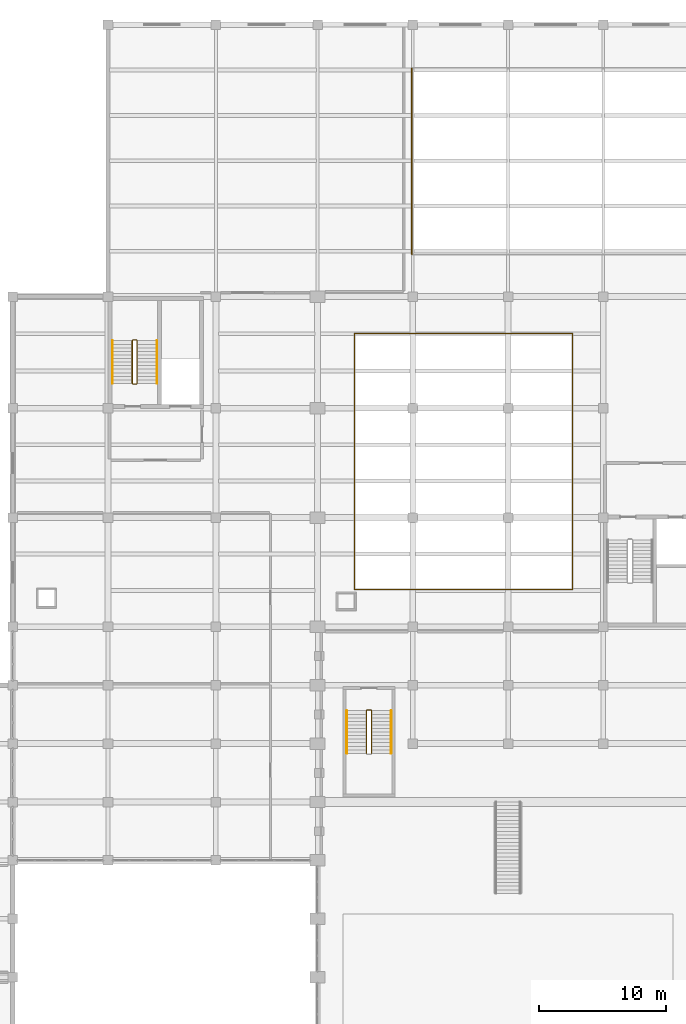
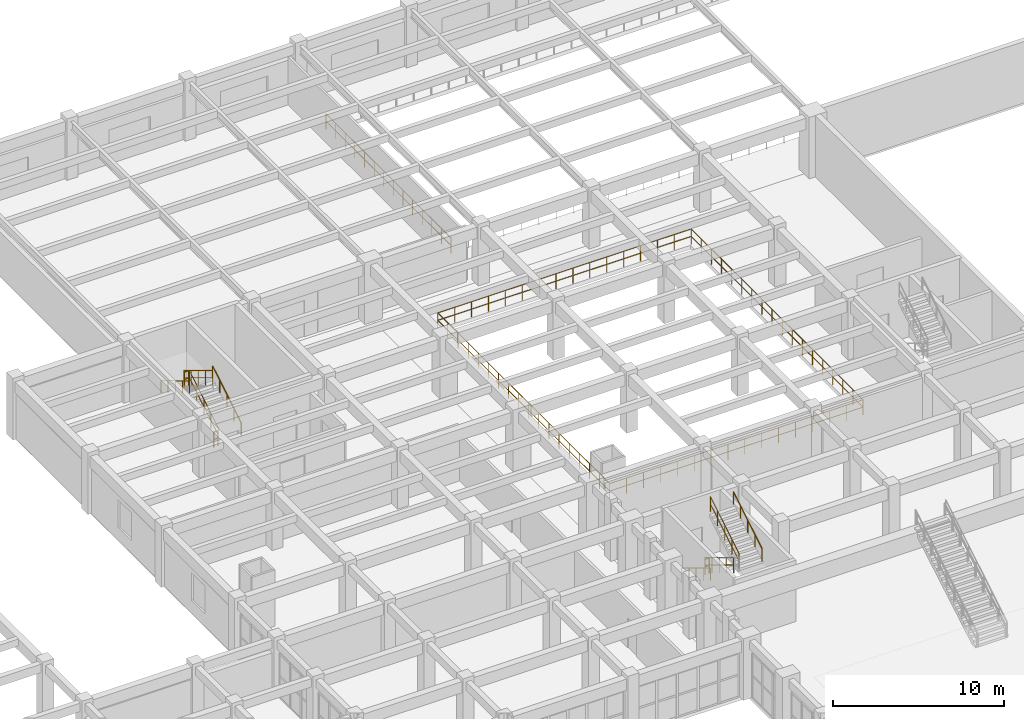
# One storey, part 111 of 116: 16 railings.
"""IFC4 building model written with IfcOpenShell, lengths in metres."""

from ifc_helpers import new_model, si_unit, direction, frame, origin, origin_2d, place, context, subcontext, project, spatial, circle, extrude, material, type_object, element, save


model = new_model("IFC4")

# Units and contexts
model_context = context("Model", 3, precision=1e-05, world=origin(), true_north=direction((0.0, 1.0)))
body_context = subcontext(model_context, "Body", "Model", "MODEL_VIEW")
ifc_project = project(units=[si_unit("LENGTHUNIT", "METRE"), si_unit("AREAUNIT", "SQUARE_METRE"), si_unit("VOLUMEUNIT", "CUBIC_METRE"), si_unit("PLANEANGLEUNIT", "RADIAN"), si_unit("MASSUNIT", "GRAM", prefix="KILO")], contexts=[model_context])

# Site, building, storey
site_placement = place(None, origin())
site = spatial("IfcSite", under=ifc_project, at=site_placement, CompositionType="ELEMENT")
building_placement = place(site_placement, origin())
building = spatial("IfcBuilding", under=site, at=building_placement, Name="Muzn Square Opera House", CompositionType="ELEMENT")
storey_placement = place(building_placement, frame((0.0, 0.0, 5.39990234375)))
storey = spatial("IfcBuildingStorey", under=building, at=storey_placement, Name="L01", CompositionType="ELEMENT", Elevation=5.39990234375)

# Railings
ifc_material_1 = material(Name="Architectural bronze mashrabiya", Category="metal")
railing_type_1 = type_object("IfcRailingType", Name="Bronze Protective Balustrade 1120mm", PredefinedType="BALUSTRADE", material=ifc_material_1)
railing_1_placement = place(storey_placement, frame((45.919921875, 75.52001953125, 0.0)))
element("IfcRailing", 1, at=railing_1_placement, inside=storey, type_object=railing_type_1, Name="Void Edge Balustrade L01-0013", PredefinedType="BALUSTRADE", context=body_context, shape_type="SweptSolid", body=[
    extrude(circle(Radius=0.02392578125, at=origin_2d()), frame((0.0, 0.0, 1.09619140625), z_axis=(1.0, 0.0, 0.0), x_axis=(0.0, 1.0, 0.0)), (0.0, 0.0, 1.0), 17.16015625),
    extrude(circle(Radius=0.02392578125, at=origin_2d()), frame((0.0, 0.0, 0.56005859375), z_axis=(1.0, 0.0, 0.0), x_axis=(0.0, 1.0, 0.0)), (0.0, 0.0, 1.0), 17.16015625),
    extrude(circle(Radius=0.02099609375, at=origin_2d()), origin(), (0.0, 0.0, 1.0), 1.072021484375),
    extrude(circle(Radius=0.02099609375, at=origin_2d()), frame((1.14404296875, 0.0, 0.0)), (0.0, 0.0, 1.0), 1.072021484375),
    extrude(circle(Radius=0.02099609375, at=origin_2d()), frame((2.2880859375, 0.0, 0.0)), (0.0, 0.0, 1.0), 1.072021484375),
    extrude(circle(Radius=0.02099609375, at=origin_2d()), frame((3.43212890625, 0.0, 0.0)), (0.0, 0.0, 1.0), 1.072021484375),
    extrude(circle(Radius=0.02099609375, at=origin_2d()), frame((4.575927734375, 0.0, 0.0)), (0.0, 0.0, 1.0), 1.072021484375),
    extrude(circle(Radius=0.02099609375, at=origin_2d()), frame((5.719970703125, 0.0, 0.0)), (0.0, 0.0, 1.0), 1.072021484375),
    extrude(circle(Radius=0.02099609375, at=origin_2d()), frame((6.864013671875, 0.0, 0.0)), (0.0, 0.0, 1.0), 1.072021484375),
    extrude(circle(Radius=0.02099609375, at=origin_2d()), frame((8.008056640625, 0.0, 0.0)), (0.0, 0.0, 1.0), 1.072021484375),
    extrude(circle(Radius=0.02099609375, at=origin_2d()), frame((9.152099609375, 0.0, 0.0)), (0.0, 0.0, 1.0), 1.072021484375),
    extrude(circle(Radius=0.02099609375, at=origin_2d()), frame((10.296142578125, 0.0, 0.0)), (0.0, 0.0, 1.0), 1.072021484375),
    extrude(circle(Radius=0.02099609375, at=origin_2d()), frame((11.440185546875, 0.0, 0.0)), (0.0, 0.0, 1.0), 1.072021484375),
    extrude(circle(Radius=0.02099609375, at=origin_2d()), frame((12.584228515625, 0.0, 0.0)), (0.0, 0.0, 1.0), 1.072021484375),
    extrude(circle(Radius=0.02099609375, at=origin_2d()), frame((13.72802734375, 0.0, 0.0)), (0.0, 0.0, 1.0), 1.072021484375),
    extrude(circle(Radius=0.02099609375, at=origin_2d()), frame((14.8720703125, 0.0, 0.0)), (0.0, 0.0, 1.0), 1.072021484375),
    extrude(circle(Radius=0.02099609375, at=origin_2d()), frame((16.01611328125, 0.0, 0.0)), (0.0, 0.0, 1.0), 1.072021484375),
    extrude(circle(Radius=0.02099609375, at=origin_2d()), frame((17.16015625, 0.0, 0.0)), (0.0, 0.0, 1.0), 1.072021484375),
])
railing_2_placement = place(storey_placement, frame((63.080078125, 75.52001953125, 0.0)))
element("IfcRailing", 2, at=railing_2_placement, inside=storey, type_object=railing_type_1, Name="Void Edge Balustrade L01-0014", PredefinedType="BALUSTRADE", context=body_context, shape_type="SweptSolid", body=[
    extrude(circle(Radius=0.02392578125, at=origin_2d()), frame((0.0, 0.0, 1.09619140625), z_axis=(0.0, 1.0, 0.0), x_axis=(-1.0, 0.0, 0.0)), (0.0, 0.0, 1.0), 20.159912109375),
    extrude(circle(Radius=0.02392578125, at=origin_2d()), frame((0.0, 0.0, 0.56005859375), z_axis=(0.0, 1.0, 0.0), x_axis=(-1.0, 0.0, 0.0)), (0.0, 0.0, 1.0), 20.159912109375),
    extrude(circle(Radius=0.02099609375, at=origin_2d()), origin(), (0.0, 0.0, 1.0), 1.072021484375),
    extrude(circle(Radius=0.02099609375, at=origin_2d()), frame((0.0, 1.185791015625, 0.0)), (0.0, 0.0, 1.0), 1.072021484375),
    extrude(circle(Radius=0.02099609375, at=origin_2d()), frame((0.0, 2.371826171875, 0.0)), (0.0, 0.0, 1.0), 1.072021484375),
    extrude(circle(Radius=0.02099609375, at=origin_2d()), frame((0.0, 3.5576171875, 0.0)), (0.0, 0.0, 1.0), 1.072021484375),
    extrude(circle(Radius=0.02099609375, at=origin_2d()), frame((0.0, 4.743408203125, 0.0)), (0.0, 0.0, 1.0), 1.072021484375),
    extrude(circle(Radius=0.02099609375, at=origin_2d()), frame((0.0, 5.929443359375, 0.0)), (0.0, 0.0, 1.0), 1.072021484375),
    extrude(circle(Radius=0.02099609375, at=origin_2d()), frame((0.0, 7.115234375, 0.0)), (0.0, 0.0, 1.0), 1.072021484375),
    extrude(circle(Radius=0.02099609375, at=origin_2d()), frame((0.0, 8.301025390625, 0.0)), (0.0, 0.0, 1.0), 1.072021484375),
    extrude(circle(Radius=0.02099609375, at=origin_2d()), frame((0.0, 9.487060546875, 0.0)), (0.0, 0.0, 1.0), 1.072021484375),
    extrude(circle(Radius=0.02099609375, at=origin_2d()), frame((0.0, 10.6728515625, 0.0)), (0.0, 0.0, 1.0), 1.072021484375),
    extrude(circle(Radius=0.02099609375, at=origin_2d()), frame((0.0, 11.85888671875, 0.0)), (0.0, 0.0, 1.0), 1.072021484375),
    extrude(circle(Radius=0.02099609375, at=origin_2d()), frame((0.0, 13.044677734375, 0.0)), (0.0, 0.0, 1.0), 1.072021484375),
    extrude(circle(Radius=0.02099609375, at=origin_2d()), frame((0.0, 14.23046875, 0.0)), (0.0, 0.0, 1.0), 1.072021484375),
    extrude(circle(Radius=0.02099609375, at=origin_2d()), frame((0.0, 15.41650390625, 0.0)), (0.0, 0.0, 1.0), 1.072021484375),
    extrude(circle(Radius=0.02099609375, at=origin_2d()), frame((0.0, 16.602294921875, 0.0)), (0.0, 0.0, 1.0), 1.072021484375),
    extrude(circle(Radius=0.02099609375, at=origin_2d()), frame((0.0, 17.7880859375, 0.0)), (0.0, 0.0, 1.0), 1.072021484375),
    extrude(circle(Radius=0.02099609375, at=origin_2d()), frame((0.0, 18.97412109375, 0.0)), (0.0, 0.0, 1.0), 1.072021484375),
    extrude(circle(Radius=0.02099609375, at=origin_2d()), frame((0.0, 20.159912109375, 0.0)), (0.0, 0.0, 1.0), 1.072021484375),
])
railing_3_placement = place(storey_placement, frame((63.080078125, 95.679931640625, 0.0)))
element("IfcRailing", 3, at=railing_3_placement, inside=storey, type_object=railing_type_1, Name="Void Edge Balustrade L01-0015", PredefinedType="BALUSTRADE", context=body_context, shape_type="SweptSolid", body=[
    extrude(circle(Radius=0.02392578125, at=origin_2d()), frame((0.0, 0.0, 1.09619140625), z_axis=(-1.0, 0.0, 0.0), x_axis=(0.0, -1.0, 0.0)), (0.0, 0.0, 1.0), 17.16015625),
    extrude(circle(Radius=0.02392578125, at=origin_2d()), frame((0.0, 0.0, 0.56005859375), z_axis=(-1.0, 0.0, 0.0), x_axis=(0.0, -1.0, 0.0)), (0.0, 0.0, 1.0), 17.16015625),
    extrude(circle(Radius=0.02099609375, at=origin_2d()), origin(), (0.0, 0.0, 1.0), 1.072021484375),
    extrude(circle(Radius=0.02099609375, at=origin_2d()), frame((-1.14404296875, 0.0, 0.0)), (0.0, 0.0, 1.0), 1.072021484375),
    extrude(circle(Radius=0.02099609375, at=origin_2d()), frame((-2.2880859375, 0.0, 0.0)), (0.0, 0.0, 1.0), 1.072021484375),
    extrude(circle(Radius=0.02099609375, at=origin_2d()), frame((-3.43212890625, 0.0, 0.0)), (0.0, 0.0, 1.0), 1.072021484375),
    extrude(circle(Radius=0.02099609375, at=origin_2d()), frame((-4.575927734375, 0.0, 0.0)), (0.0, 0.0, 1.0), 1.072021484375),
    extrude(circle(Radius=0.02099609375, at=origin_2d()), frame((-5.719970703125, 0.0, 0.0)), (0.0, 0.0, 1.0), 1.072021484375),
    extrude(circle(Radius=0.02099609375, at=origin_2d()), frame((-6.864013671875, 0.0, 0.0)), (0.0, 0.0, 1.0), 1.072021484375),
    extrude(circle(Radius=0.02099609375, at=origin_2d()), frame((-8.008056640625, 0.0, 0.0)), (0.0, 0.0, 1.0), 1.072021484375),
    extrude(circle(Radius=0.02099609375, at=origin_2d()), frame((-9.152099609375, 0.0, 0.0)), (0.0, 0.0, 1.0), 1.072021484375),
    extrude(circle(Radius=0.02099609375, at=origin_2d()), frame((-10.296142578125, 0.0, 0.0)), (0.0, 0.0, 1.0), 1.072021484375),
    extrude(circle(Radius=0.02099609375, at=origin_2d()), frame((-11.440185546875, 0.0, 0.0)), (0.0, 0.0, 1.0), 1.072021484375),
    extrude(circle(Radius=0.02099609375, at=origin_2d()), frame((-12.584228515625, 0.0, 0.0)), (0.0, 0.0, 1.0), 1.072021484375),
    extrude(circle(Radius=0.02099609375, at=origin_2d()), frame((-13.72802734375, 0.0, 0.0)), (0.0, 0.0, 1.0), 1.072021484375),
    extrude(circle(Radius=0.02099609375, at=origin_2d()), frame((-14.8720703125, 0.0, 0.0)), (0.0, 0.0, 1.0), 1.072021484375),
    extrude(circle(Radius=0.02099609375, at=origin_2d()), frame((-16.01611328125, 0.0, 0.0)), (0.0, 0.0, 1.0), 1.072021484375),
    extrude(circle(Radius=0.02099609375, at=origin_2d()), frame((-17.16015625, 0.0, 0.0)), (0.0, 0.0, 1.0), 1.072021484375),
])
railing_4_placement = place(storey_placement, frame((45.919921875, 95.679931640625, 0.0)))
element("IfcRailing", 4, at=railing_4_placement, inside=storey, type_object=railing_type_1, Name="Void Edge Balustrade L01-0016", PredefinedType="BALUSTRADE", context=body_context, shape_type="SweptSolid", body=[
    extrude(circle(Radius=0.02392578125, at=origin_2d()), frame((0.0, 0.0, 1.09619140625), z_axis=(0.0, -1.0, 0.0), x_axis=(1.0, 0.0, 0.0)), (0.0, 0.0, 1.0), 20.159912109375),
    extrude(circle(Radius=0.02392578125, at=origin_2d()), frame((0.0, 0.0, 0.56005859375), z_axis=(0.0, -1.0, 0.0), x_axis=(1.0, 0.0, 0.0)), (0.0, 0.0, 1.0), 20.159912109375),
    extrude(circle(Radius=0.02099609375, at=origin_2d()), origin(), (0.0, 0.0, 1.0), 1.072021484375),
    extrude(circle(Radius=0.02099609375, at=origin_2d()), frame((0.0, -1.185791015625, 0.0)), (0.0, 0.0, 1.0), 1.072021484375),
    extrude(circle(Radius=0.02099609375, at=origin_2d()), frame((0.0, -2.371826171875, 0.0)), (0.0, 0.0, 1.0), 1.072021484375),
    extrude(circle(Radius=0.02099609375, at=origin_2d()), frame((0.0, -3.5576171875, 0.0)), (0.0, 0.0, 1.0), 1.072021484375),
    extrude(circle(Radius=0.02099609375, at=origin_2d()), frame((0.0, -4.743408203125, 0.0)), (0.0, 0.0, 1.0), 1.072021484375),
    extrude(circle(Radius=0.02099609375, at=origin_2d()), frame((0.0, -5.929443359375, 0.0)), (0.0, 0.0, 1.0), 1.072021484375),
    extrude(circle(Radius=0.02099609375, at=origin_2d()), frame((0.0, -7.115234375, 0.0)), (0.0, 0.0, 1.0), 1.072021484375),
    extrude(circle(Radius=0.02099609375, at=origin_2d()), frame((0.0, -8.301025390625, 0.0)), (0.0, 0.0, 1.0), 1.072021484375),
    extrude(circle(Radius=0.02099609375, at=origin_2d()), frame((0.0, -9.487060546875, 0.0)), (0.0, 0.0, 1.0), 1.072021484375),
    extrude(circle(Radius=0.02099609375, at=origin_2d()), frame((0.0, -10.6728515625, 0.0)), (0.0, 0.0, 1.0), 1.072021484375),
    extrude(circle(Radius=0.02099609375, at=origin_2d()), frame((0.0, -11.85888671875, 0.0)), (0.0, 0.0, 1.0), 1.072021484375),
    extrude(circle(Radius=0.02099609375, at=origin_2d()), frame((0.0, -13.044677734375, 0.0)), (0.0, 0.0, 1.0), 1.072021484375),
    extrude(circle(Radius=0.02099609375, at=origin_2d()), frame((0.0, -14.23046875, 0.0)), (0.0, 0.0, 1.0), 1.072021484375),
    extrude(circle(Radius=0.02099609375, at=origin_2d()), frame((0.0, -15.41650390625, 0.0)), (0.0, 0.0, 1.0), 1.072021484375),
    extrude(circle(Radius=0.02099609375, at=origin_2d()), frame((0.0, -16.602294921875, 0.0)), (0.0, 0.0, 1.0), 1.072021484375),
    extrude(circle(Radius=0.02099609375, at=origin_2d()), frame((0.0, -17.7880859375, 0.0)), (0.0, 0.0, 1.0), 1.072021484375),
    extrude(circle(Radius=0.02099609375, at=origin_2d()), frame((0.0, -18.97412109375, 0.0)), (0.0, 0.0, 1.0), 1.072021484375),
    extrude(circle(Radius=0.02099609375, at=origin_2d()), frame((0.0, -20.159912109375, 0.0)), (0.0, 0.0, 1.0), 1.072021484375),
])
railing_5_placement = place(storey_placement, frame((50.419921875, 116.580078125, 0.0)))
element("IfcRailing", 5, at=railing_5_placement, inside=storey, type_object=railing_type_1, Name="Void Edge Balustrade L01-0024", PredefinedType="BALUSTRADE", context=body_context, shape_type="SweptSolid", body=[
    extrude(circle(Radius=0.02392578125, at=origin_2d()), frame((0.0, 0.0, 1.09619140625), z_axis=(0.0, -1.0, 0.0), x_axis=(1.0, 0.0, 0.0)), (0.0, 0.0, 1.0), 14.66015625),
    extrude(circle(Radius=0.02392578125, at=origin_2d()), frame((0.0, 0.0, 0.56005859375), z_axis=(0.0, -1.0, 0.0), x_axis=(1.0, 0.0, 0.0)), (0.0, 0.0, 1.0), 14.66015625),
    extrude(circle(Radius=0.02099609375, at=origin_2d()), origin(), (0.0, 0.0, 1.0), 1.072021484375),
    extrude(circle(Radius=0.02099609375, at=origin_2d()), frame((0.0, -1.127685546875, 0.0)), (0.0, 0.0, 1.0), 1.072021484375),
    extrude(circle(Radius=0.02099609375, at=origin_2d()), frame((0.0, -2.25537109375, 0.0)), (0.0, 0.0, 1.0), 1.072021484375),
    extrude(circle(Radius=0.02099609375, at=origin_2d()), frame((0.0, -3.383056640625, 0.0)), (0.0, 0.0, 1.0), 1.072021484375),
    extrude(circle(Radius=0.02099609375, at=origin_2d()), frame((0.0, -4.5107421875, 0.0)), (0.0, 0.0, 1.0), 1.072021484375),
    extrude(circle(Radius=0.02099609375, at=origin_2d()), frame((0.0, -5.638427734375, 0.0)), (0.0, 0.0, 1.0), 1.072021484375),
    extrude(circle(Radius=0.02099609375, at=origin_2d()), frame((0.0, -6.76611328125, 0.0)), (0.0, 0.0, 1.0), 1.072021484375),
    extrude(circle(Radius=0.02099609375, at=origin_2d()), frame((0.0, -7.89404296875, 0.0)), (0.0, 0.0, 1.0), 1.072021484375),
    extrude(circle(Radius=0.02099609375, at=origin_2d()), frame((0.0, -9.021728515625, 0.0)), (0.0, 0.0, 1.0), 1.072021484375),
    extrude(circle(Radius=0.02099609375, at=origin_2d()), frame((0.0, -10.1494140625, 0.0)), (0.0, 0.0, 1.0), 1.072021484375),
    extrude(circle(Radius=0.02099609375, at=origin_2d()), frame((0.0, -11.277099609375, 0.0)), (0.0, 0.0, 1.0), 1.072021484375),
    extrude(circle(Radius=0.02099609375, at=origin_2d()), frame((0.0, -12.40478515625, 0.0)), (0.0, 0.0, 1.0), 1.072021484375),
    extrude(circle(Radius=0.02099609375, at=origin_2d()), frame((0.0, -13.532470703125, 0.0)), (0.0, 0.0, 1.0), 1.072021484375),
    extrude(circle(Radius=0.02099609375, at=origin_2d()), frame((0.0, -14.66015625, 0.0)), (0.0, 0.0, 1.0), 1.072021484375),
])
ifc_material_2 = material(Name="Brushed stainless steel", Category="metal")
railing_type_2 = type_object("IfcRailingType", Name="Stair Guard Railing 1120mm", PredefinedType="GUARDRAIL", material=ifc_material_2)
railing_6_placement = place(storey_placement, frame((28.7900390625, 91.760009765625, 0.16943359375)))
element("IfcRailing", 6, at=railing_6_placement, inside=storey, type_object=railing_type_2, Name="L01 ST-6 stair guard 1", PredefinedType="GUARDRAIL", context=body_context, shape_type="SweptSolid", body=[
    extrude(circle(Radius=0.02392578125, at=origin_2d()), frame((0.0, 0.0, 1.076171875), z_axis=(0.0, 0.855836976705, 0.517245656632), x_axis=(-1.0, 0.0, 0.0)), (0.0, 0.0, 1.0), 3.926025390625),
    extrude(circle(Radius=0.02392578125, at=origin_2d()), frame((0.0, 0.0, 0.550048828125), z_axis=(0.0, 0.855836976705, 0.517245656632), x_axis=(-1.0, 0.0, 0.0)), (0.0, 0.0, 1.0), 3.926025390625),
    extrude(circle(Radius=0.02099609375, at=origin_2d()), origin(), (0.0, 0.0, 1.0), 1.052001953125),
    extrude(circle(Radius=0.02099609375, at=origin_2d()), frame((0.0, 0.840087890625, 0.5078125)), (0.0, 0.0, 1.0), 1.052001953125),
    extrude(circle(Radius=0.02099609375, at=origin_2d()), frame((0.0, 1.68017578125, 1.015380859375)), (0.0, 0.0, 1.0), 1.052001953125),
    extrude(circle(Radius=0.02099609375, at=origin_2d()), frame((0.0, 2.52001953125, 1.52294921875)), (0.0, 0.0, 1.0), 1.052001953125),
    extrude(circle(Radius=0.02099609375, at=origin_2d()), frame((0.0, 3.360107421875, 2.03076171875)), (0.0, 0.0, 1.0), 1.052001953125),
])
railing_7_placement = place(storey_placement, frame((28.739990234375, 95.169921875, 2.2001953125)))
element("IfcRailing", 7, at=railing_7_placement, inside=storey, type_object=railing_type_2, Name="L01 ST-6 stair guard 2", PredefinedType="GUARDRAIL", context=body_context, shape_type="SweptSolid", body=[
    extrude(circle(Radius=0.02392578125, at=origin_2d()), frame((0.0, 0.0, 1.076171875), z_axis=(-1.0, 0.0, 0.0), x_axis=(0.0, -1.0, 0.0)), (0.0, 0.0, 1.0), 0.280029296875),
    extrude(circle(Radius=0.02392578125, at=origin_2d()), frame((0.0, 0.0, 0.550048828125), z_axis=(-1.0, 0.0, 0.0), x_axis=(0.0, -1.0, 0.0)), (0.0, 0.0, 1.0), 0.280029296875),
    extrude(circle(Radius=0.02099609375, at=origin_2d()), origin(), (0.0, 0.0, 1.0), 1.052001953125),
    extrude(circle(Radius=0.02099609375, at=origin_2d()), frame((-0.280029296875, 0.0, 0.0)), (0.0, 0.0, 1.0), 1.052001953125),
])
railing_8_placement = place(storey_placement, frame((28.409912109375, 95.1201171875, 2.369384765625)))
element("IfcRailing", 8, at=railing_8_placement, inside=storey, type_object=railing_type_2, Name="L01 ST-6 stair guard 3", PredefinedType="GUARDRAIL", context=body_context, shape_type="SweptSolid", body=[
    extrude(circle(Radius=0.02392578125, at=origin_2d()), frame((0.0, 0.0, 1.076171875), z_axis=(0.0, -0.855836976705, 0.517245656632), x_axis=(1.0, 0.0, 0.0)), (0.0, 0.0, 1.0), 3.926025390625),
    extrude(circle(Radius=0.02392578125, at=origin_2d()), frame((0.0, 0.0, 0.550048828125), z_axis=(0.0, -0.855836976705, 0.517245656632), x_axis=(1.0, 0.0, 0.0)), (0.0, 0.0, 1.0), 3.926025390625),
    extrude(circle(Radius=0.02099609375, at=origin_2d()), origin(), (0.0, 0.0, 1.0), 1.052001953125),
    extrude(circle(Radius=0.02099609375, at=origin_2d()), frame((0.0, -0.840087890625, 0.5078125)), (0.0, 0.0, 1.0), 1.052001953125),
    extrude(circle(Radius=0.02099609375, at=origin_2d()), frame((0.0, -1.68017578125, 1.015380859375)), (0.0, 0.0, 1.0), 1.052001953125),
    extrude(circle(Radius=0.02099609375, at=origin_2d()), frame((0.0, -2.52001953125, 1.52294921875)), (0.0, 0.0, 1.0), 1.052001953125),
    extrude(circle(Radius=0.02099609375, at=origin_2d()), frame((0.0, -3.360107421875, 2.03076171875)), (0.0, 0.0, 1.0), 1.052001953125),
])
railing_9_placement = place(storey_placement, frame((28.739990234375, 91.7099609375, 0.0)))
element("IfcRailing", 9, at=railing_9_placement, inside=storey, type_object=railing_type_2, Name="L01 ST-6 stair guard 4", PredefinedType="GUARDRAIL", context=body_context, shape_type="SweptSolid", body=[
    extrude(circle(Radius=0.02392578125, at=origin_2d()), frame((0.0, 0.0, 1.076171875), z_axis=(-1.0, 0.0, 0.0), x_axis=(0.0, -1.0, 0.0)), (0.0, 0.0, 1.0), 0.280029296875),
    extrude(circle(Radius=0.02392578125, at=origin_2d()), frame((0.0, 0.0, 0.550048828125), z_axis=(-1.0, 0.0, 0.0), x_axis=(0.0, -1.0, 0.0)), (0.0, 0.0, 1.0), 0.280029296875),
    extrude(circle(Radius=0.02099609375, at=origin_2d()), origin(), (0.0, 0.0, 1.0), 1.052001953125),
    extrude(circle(Radius=0.02099609375, at=origin_2d()), frame((-0.280029296875, 0.0, 0.0)), (0.0, 0.0, 1.0), 1.052001953125),
])
railing_10_placement = place(storey_placement, frame((46.860107421875, 65.989990234375, 0.16943359375)))
element("IfcRailing", 10, at=railing_10_placement, inside=storey, type_object=railing_type_2, Name="L01 ST-9 stair guard 1", PredefinedType="GUARDRAIL", context=body_context, shape_type="SweptSolid", body=[
    extrude(circle(Radius=0.02392578125, at=origin_2d()), frame((0.0, 0.0, 1.076171875), z_axis=(0.0, -0.855836976705, 0.517245656632), x_axis=(1.0, 0.0, 0.0)), (0.0, 0.0, 1.0), 3.926025390625),
    extrude(circle(Radius=0.02392578125, at=origin_2d()), frame((0.0, 0.0, 0.550048828125), z_axis=(0.0, -0.855836976705, 0.517245656632), x_axis=(1.0, 0.0, 0.0)), (0.0, 0.0, 1.0), 3.926025390625),
    extrude(circle(Radius=0.02099609375, at=origin_2d()), origin(), (0.0, 0.0, 1.0), 1.052001953125),
    extrude(circle(Radius=0.02099609375, at=origin_2d()), frame((0.0, -0.840087890625, 0.5078125)), (0.0, 0.0, 1.0), 1.052001953125),
    extrude(circle(Radius=0.02099609375, at=origin_2d()), frame((0.0, -1.68017578125, 1.015380859375)), (0.0, 0.0, 1.0), 1.052001953125),
    extrude(circle(Radius=0.02099609375, at=origin_2d()), frame((0.0, -2.52001953125, 1.52294921875)), (0.0, 0.0, 1.0), 1.052001953125),
    extrude(circle(Radius=0.02099609375, at=origin_2d()), frame((0.0, -3.360107421875, 2.03076171875)), (0.0, 0.0, 1.0), 1.052001953125),
])
railing_11_placement = place(storey_placement, frame((47.239990234375, 62.6298828125, 2.369384765625)))
element("IfcRailing", 11, at=railing_11_placement, inside=storey, type_object=railing_type_2, Name="L01 ST-9 stair guard 3", PredefinedType="GUARDRAIL", context=body_context, shape_type="SweptSolid", body=[
    extrude(circle(Radius=0.02392578125, at=origin_2d()), frame((0.0, 0.0, 1.076171875), z_axis=(0.0, 0.855836976705, 0.517245656632), x_axis=(-1.0, 0.0, 0.0)), (0.0, 0.0, 1.0), 3.926025390625),
    extrude(circle(Radius=0.02392578125, at=origin_2d()), frame((0.0, 0.0, 0.550048828125), z_axis=(0.0, 0.855836976705, 0.517245656632), x_axis=(-1.0, 0.0, 0.0)), (0.0, 0.0, 1.0), 3.926025390625),
    extrude(circle(Radius=0.02099609375, at=origin_2d()), origin(), (0.0, 0.0, 1.0), 1.052001953125),
    extrude(circle(Radius=0.02099609375, at=origin_2d()), frame((0.0, 0.840087890625, 0.5078125)), (0.0, 0.0, 1.0), 1.052001953125),
    extrude(circle(Radius=0.02099609375, at=origin_2d()), frame((0.0, 1.68017578125, 1.015380859375)), (0.0, 0.0, 1.0), 1.052001953125),
    extrude(circle(Radius=0.02099609375, at=origin_2d()), frame((0.0, 2.52001953125, 1.52294921875)), (0.0, 0.0, 1.0), 1.052001953125),
    extrude(circle(Radius=0.02099609375, at=origin_2d()), frame((0.0, 3.360107421875, 2.03076171875)), (0.0, 0.0, 1.0), 1.052001953125),
])
railing_12_placement = place(storey_placement, frame((46.909912109375, 66.0400390625, 0.0)))
element("IfcRailing", 12, at=railing_12_placement, inside=storey, type_object=railing_type_2, Name="L01 ST-9 stair guard 4", PredefinedType="GUARDRAIL", context=body_context, shape_type="SweptSolid", body=[
    extrude(circle(Radius=0.02392578125, at=origin_2d()), frame((0.0, 0.0, 1.076171875), z_axis=(1.0, 0.0, 0.0), x_axis=(0.0, 1.0, 0.0)), (0.0, 0.0, 1.0), 0.280029296875),
    extrude(circle(Radius=0.02392578125, at=origin_2d()), frame((0.0, 0.0, 0.550048828125), z_axis=(1.0, 0.0, 0.0), x_axis=(0.0, 1.0, 0.0)), (0.0, 0.0, 1.0), 0.280029296875),
    extrude(circle(Radius=0.02099609375, at=origin_2d()), origin(), (0.0, 0.0, 1.0), 1.052001953125),
    extrude(circle(Radius=0.02099609375, at=origin_2d()), frame((0.280029296875, 0.0, 0.0)), (0.0, 0.0, 1.0), 1.052001953125),
])
railing_type_3 = type_object("IfcRailingType", Name="Stair Pitch Handrail 900mm", PredefinedType="HANDRAIL", material=ifc_material_2)
railing_13_placement = place(storey_placement, frame((30.35009765625, 91.760009765625, 0.16943359375)))
element("IfcRailing", 13, at=railing_13_placement, inside=storey, type_object=railing_type_3, Name="L01 ST-6 stair handrail 1", PredefinedType="HANDRAIL", context=body_context, shape_type="SweptSolid", body=[
    extrude(circle(Radius=0.02392578125, at=origin_2d()), frame((0.0, 0.0, 0.8759765625), z_axis=(0.0, 0.855836976705, 0.517245656632), x_axis=(-1.0, 0.0, 0.0)), (0.0, 0.0, 1.0), 3.926025390625),
    extrude(circle(Radius=0.02099609375, at=origin_2d()), origin(), (0.0, 0.0, 1.0), 0.851806640625),
    extrude(circle(Radius=0.02099609375, at=origin_2d()), frame((0.0, 0.840087890625, 0.5078125)), (0.0, 0.0, 1.0), 0.851806640625),
    extrude(circle(Radius=0.02099609375, at=origin_2d()), frame((0.0, 1.68017578125, 1.015380859375)), (0.0, 0.0, 1.0), 0.851806640625),
    extrude(circle(Radius=0.02099609375, at=origin_2d()), frame((0.0, 2.52001953125, 1.52294921875)), (0.0, 0.0, 1.0), 0.851806640625),
    extrude(circle(Radius=0.02099609375, at=origin_2d()), frame((0.0, 3.360107421875, 2.03076171875)), (0.0, 0.0, 1.0), 0.851806640625),
])
for number, where, name in (
    (14, (26.85009765625, 95.1201171875, 2.369384765625), "L01 ST-6 stair handrail 2"),
    (15, (45.300048828125, 65.989990234375, 0.16943359375), "L01 ST-9 stair handrail 1"),
):
    element("IfcRailing", number, at=place(storey_placement, frame(where)), inside=storey, type_object=railing_type_3, Name=name, PredefinedType="HANDRAIL", context=body_context, shape_type="SweptSolid", body=[
        extrude(circle(Radius=0.02392578125, at=origin_2d()), frame((0.0, 0.0, 0.8759765625), z_axis=(0.0, -0.855836976705, 0.517245656632), x_axis=(1.0, 0.0, 0.0)), (0.0, 0.0, 1.0), 3.926025390625),
        extrude(circle(Radius=0.02099609375, at=origin_2d()), origin(), (0.0, 0.0, 1.0), 0.851806640625),
        extrude(circle(Radius=0.02099609375, at=origin_2d()), frame((0.0, -0.840087890625, 0.5078125)), (0.0, 0.0, 1.0), 0.851806640625),
        extrude(circle(Radius=0.02099609375, at=origin_2d()), frame((0.0, -1.68017578125, 1.015380859375)), (0.0, 0.0, 1.0), 0.851806640625),
        extrude(circle(Radius=0.02099609375, at=origin_2d()), frame((0.0, -2.52001953125, 1.52294921875)), (0.0, 0.0, 1.0), 0.851806640625),
        extrude(circle(Radius=0.02099609375, at=origin_2d()), frame((0.0, -3.360107421875, 2.03076171875)), (0.0, 0.0, 1.0), 0.851806640625),
    ])
railing_14_placement = place(storey_placement, frame((48.800048828125, 62.6298828125, 2.369384765625)))
element("IfcRailing", 16, at=railing_14_placement, inside=storey, type_object=railing_type_3, Name="L01 ST-9 stair handrail 2", PredefinedType="HANDRAIL", context=body_context, shape_type="SweptSolid", body=[
    extrude(circle(Radius=0.02392578125, at=origin_2d()), frame((0.0, 0.0, 0.8759765625), z_axis=(0.0, 0.855836976705, 0.517245656632), x_axis=(-1.0, 0.0, 0.0)), (0.0, 0.0, 1.0), 3.926025390625),
    extrude(circle(Radius=0.02099609375, at=origin_2d()), origin(), (0.0, 0.0, 1.0), 0.851806640625),
    extrude(circle(Radius=0.02099609375, at=origin_2d()), frame((0.0, 0.840087890625, 0.5078125)), (0.0, 0.0, 1.0), 0.851806640625),
    extrude(circle(Radius=0.02099609375, at=origin_2d()), frame((0.0, 1.68017578125, 1.015380859375)), (0.0, 0.0, 1.0), 0.851806640625),
    extrude(circle(Radius=0.02099609375, at=origin_2d()), frame((0.0, 2.52001953125, 1.52294921875)), (0.0, 0.0, 1.0), 0.851806640625),
    extrude(circle(Radius=0.02099609375, at=origin_2d()), frame((0.0, 3.360107421875, 2.03076171875)), (0.0, 0.0, 1.0), 0.851806640625),
])

save(model, "model.ifc")
